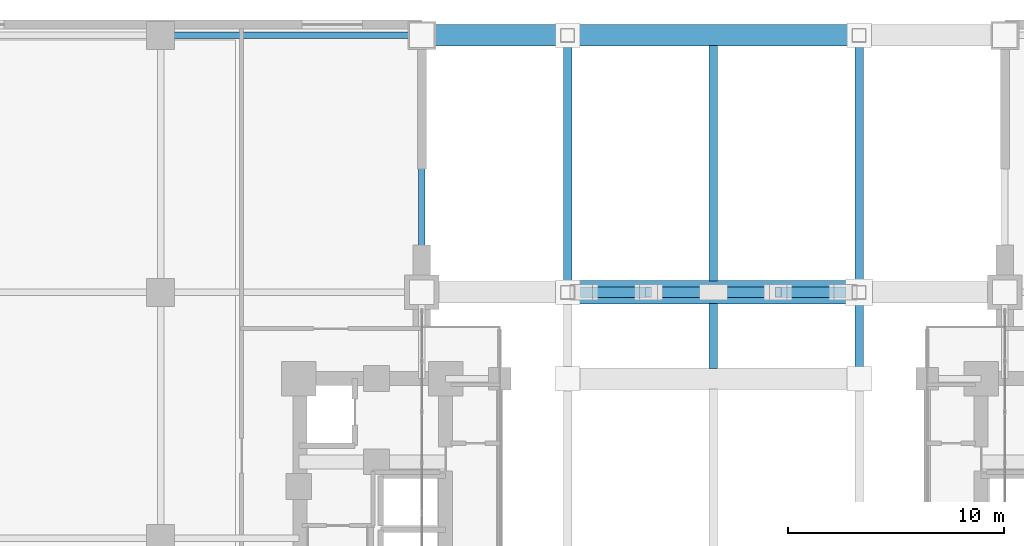
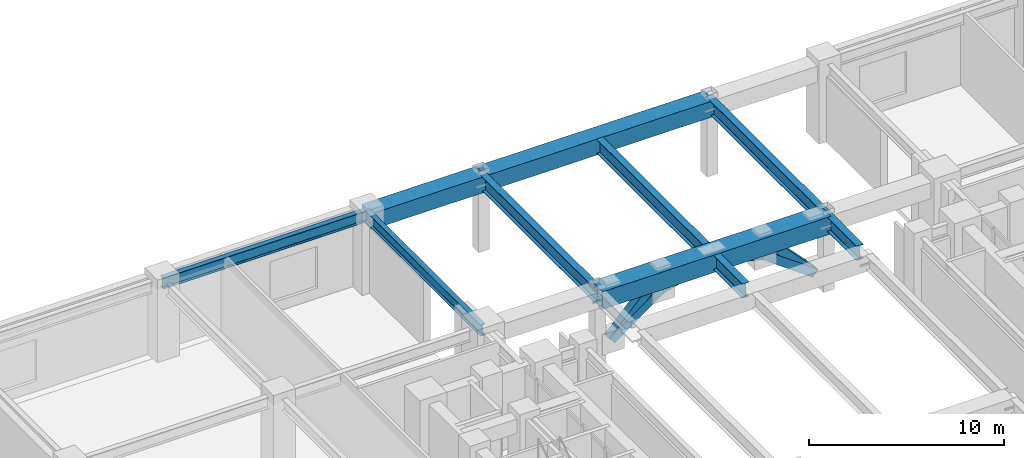
# One storey, part 11 of 26: 10 beams, 6 members.
"""IFC4 building model written with IfcOpenShell, lengths in metres."""

from ifc_helpers import new_model, si_unit, direction, frame, origin, origin_2d, place, context, subcontext, project, spatial, hollow_rectangle, i_section, extrude, material, material_profile, profile_set, type_object, element, save


model = new_model("IFC4")

# Units and contexts
model_context = context("Model", 3, precision=1e-05, world=origin(), true_north=direction((0.0, 1.0)))
body_context = subcontext(model_context, "Body", "Model", "MODEL_VIEW")
ifc_project = project(units=[si_unit("LENGTHUNIT", "METRE"), si_unit("AREAUNIT", "SQUARE_METRE"), si_unit("VOLUMEUNIT", "CUBIC_METRE"), si_unit("PLANEANGLEUNIT", "RADIAN"), si_unit("MASSUNIT", "GRAM", prefix="KILO")], contexts=[model_context])

# Site, building, storey
site_placement = place(None, origin())
site = spatial("IfcSite", under=ifc_project, at=site_placement, CompositionType="ELEMENT")
building_placement = place(site_placement, origin())
building = spatial("IfcBuilding", under=site, at=building_placement, Name="Voryun Gate Residences", CompositionType="ELEMENT")
storey_placement = place(building_placement, frame((0.0, 0.0, 15.60009765625)))
storey = spatial("IfcBuildingStorey", under=building, at=storey_placement, Name="L03", CompositionType="ELEMENT", Elevation=15.60009765625)

# Beams
ifc_material_1 = material(Name="Steel SM420", Category="steel")
ifc_material_profile_1 = material_profile(ifc_material_1, hollow_rectangle(XDim=1.10009765625, YDim=1.10009765625, WallThickness=0.035888671875, at=origin_2d()), Name="BOX-1100x1100x36")
ifc_profile_set_1 = profile_set([ifc_material_profile_1], Name="Steel SM420")
beam_type_1 = type_object("IfcBeamType", Name="BM_ARCH_RIB", PredefinedType="USERDEFINED", material=ifc_profile_set_1)
beam_1_placement = place(storey_placement, frame((-6.75, 11.39990234375, 4.25), z_axis=(1.0, 0.0, 0.0), x_axis=(0.0, 1.0, 0.0)))
element("IfcBeam", 1, at=beam_1_placement, inside=storey, type_object=beam_type_1, Name="Parabolic Tied-Arch Tie Girder N Bay 2", ObjectType="GIRDER", PredefinedType="USERDEFINED", context=body_context, shape_type="SweptSolid", body=[
    extrude(hollow_rectangle(XDim=1.10009765625, YDim=1.10009765625, WallThickness=0.035888671875, at=origin_2d()), origin(), (0.0, 0.0, 1.0), 13.5),
])
ifc_material_2 = material(Name="Steel SM420", Category="steel")
ifc_material_profile_2 = material_profile(ifc_material_2, hollow_rectangle(XDim=1.0, YDim=1.0, WallThickness=0.031982421875, at=origin_2d()), Name="BOX-1000x1000x32")
ifc_profile_set_2 = profile_set([ifc_material_profile_2], Name="Steel SM420")
beam_type_2 = type_object("IfcBeamType", Name="BM_ARCH_TIE", PredefinedType="USERDEFINED", material=ifc_profile_set_2)
beam_2_placement = place(storey_placement, frame((-13.5, 23.300048828125, 4.2998046875), z_axis=(1.0, 0.0, 0.0), x_axis=(0.0, 1.0, 0.0)))
element("IfcBeam", 2, at=beam_2_placement, inside=storey, type_object=beam_type_2, Name="BM-L03-ARCH-EDGE-+23.3-0", ObjectType="GIRDER", PredefinedType="USERDEFINED", context=body_context, shape_type="SweptSolid", body=[
    extrude(hollow_rectangle(XDim=1.0, YDim=1.0, WallThickness=0.031982421875, at=origin_2d()), origin(), (0.0, 0.0, 1.0), 6.75),
])
beam_3_placement = place(storey_placement, frame((-6.75, 23.300048828125, 4.2998046875), z_axis=(1.0, 0.0, 0.0), x_axis=(0.0, 1.0, 0.0)))
element("IfcBeam", 3, at=beam_3_placement, inside=storey, type_object=beam_type_2, Name="BM-L03-ARCH-EDGE-+23.3-1", ObjectType="GIRDER", PredefinedType="USERDEFINED", context=body_context, shape_type="SweptSolid", body=[
    extrude(hollow_rectangle(XDim=1.0, YDim=1.0, WallThickness=0.031982421875, at=origin_2d()), origin(), (0.0, 0.0, 1.0), 13.5),
])
ifc_material_3 = material(Name="Steel SM355", Category="steel")
ifc_material_profile_3 = material_profile(ifc_material_3, i_section(OverallWidth=0.300048828125, OverallDepth=0.699951171875, WebThickness=0.012939453125, FlangeThickness=0.02392578125, FilletRadius=0.01806640625, at=origin_2d()), Name="H-700x300x13x24")
ifc_profile_set_3 = profile_set([ifc_material_profile_3], Name="Steel SM355")
beam_type_3 = type_object("IfcBeamType", Name="BM_GIRD_700", PredefinedType="USERDEFINED", material=ifc_profile_set_3)
beam_4_placement = place(storey_placement, frame((-25.60009765625, 23.300048828125, 4.449951171875), z_axis=(1.0, 0.0, 0.0), x_axis=(0.0, 1.0, 0.0)))
element("IfcBeam", 4, at=beam_4_placement, inside=storey, type_object=beam_type_3, Name="BM-L03-PWX-+23.3-1", ObjectType="GIRDER", PredefinedType="USERDEFINED", context=body_context, shape_type="SweptSolid", body=[
    extrude(i_section(OverallWidth=0.300048828125, OverallDepth=0.699951171875, WebThickness=0.012939453125, FlangeThickness=0.02392578125, FilletRadius=0.01806640625, at=origin_2d()), origin(), (0.0, 0.0, 1.0), 12.10009765625),
])
beam_5_placement = place(storey_placement, frame((-13.5, 11.39990234375, 4.449951171875), z_axis=(0.0, 1.0, 0.0), x_axis=(-1.0, 0.0, 0.0)))
element("IfcBeam", 5, at=beam_5_placement, inside=storey, type_object=beam_type_3, Name="BM-L03-PWYA-+11.4", ObjectType="GIRDER", PredefinedType="USERDEFINED", context=body_context, shape_type="SweptSolid", body=[
    extrude(i_section(OverallWidth=0.300048828125, OverallDepth=0.699951171875, WebThickness=0.012939453125, FlangeThickness=0.02392578125, FilletRadius=0.01806640625, at=origin_2d()), origin(), (0.0, 0.0, 1.0), 11.900146484375),
])
ifc_material_4 = material(Name="Steel SM420", Category="steel")
ifc_material_profile_4 = material_profile(ifc_material_4, i_section(OverallWidth=0.39990234375, OverallDepth=0.89990234375, WebThickness=0.01806640625, FlangeThickness=0.031982421875, FilletRadius=0.01806640625, at=origin_2d()), Name="H-900x400x18x32")
ifc_profile_set_4 = profile_set([ifc_material_profile_4], Name="Steel SM420")
beam_type_4 = type_object("IfcBeamType", Name="BM_POD_TRUSS_CHD", PredefinedType="USERDEFINED", material=ifc_profile_set_4)
beam_6_placement = place(storey_placement, frame((-6.75, 11.39990234375, 4.349853515625), z_axis=(0.0, 1.0, 0.0), x_axis=(-1.0, 0.0, 0.0)))
element("IfcBeam", 6, at=beam_6_placement, inside=storey, type_object=beam_type_4, Name="BM-L03-ARCH-XDECK-N--6.75", ObjectType="GIRDER", PredefinedType="USERDEFINED", context=body_context, shape_type="SweptSolid", body=[
    extrude(i_section(OverallWidth=0.39990234375, OverallDepth=0.89990234375, WebThickness=0.01806640625, FlangeThickness=0.031982421875, FilletRadius=0.01806640625, at=origin_2d()), origin(), (0.0, 0.0, 1.0), 11.900146484375),
])
beam_7_placement = place(storey_placement, frame((0.0, 7.875, 4.349853515625), z_axis=(0.0, 1.0, 0.0), x_axis=(-1.0, 0.0, 0.0)))
element("IfcBeam", 7, at=beam_7_placement, inside=storey, type_object=beam_type_4, Name="BM-L03-ARCH-XDECK-NS-+0.00", ObjectType="GIRDER", PredefinedType="USERDEFINED", context=body_context, shape_type="SweptSolid", body=[
    extrude(i_section(OverallWidth=0.39990234375, OverallDepth=0.89990234375, WebThickness=0.01806640625, FlangeThickness=0.031982421875, FilletRadius=0.01806640625, at=origin_2d()), origin(), (0.0, 0.0, 1.0), 3.0),
])
beam_8_placement = place(storey_placement, frame((0.0, 11.925048828125, 4.349853515625), z_axis=(0.0, 1.0, 0.0), x_axis=(-1.0, 0.0, 0.0)))
element("IfcBeam", 8, at=beam_8_placement, inside=storey, type_object=beam_type_4, Name="BM-L03-ARCH-XDECK-N-+0.00", ObjectType="GIRDER", PredefinedType="USERDEFINED", context=body_context, shape_type="SweptSolid", body=[
    extrude(i_section(OverallWidth=0.39990234375, OverallDepth=0.89990234375, WebThickness=0.01806640625, FlangeThickness=0.031982421875, FilletRadius=0.01806640625, at=origin_2d()), origin(), (0.0, 0.0, 1.0), 10.89990234375),
])
beam_9_placement = place(storey_placement, frame((6.75, 7.875, 4.349853515625), z_axis=(0.0, 1.0, 0.0), x_axis=(-1.0, 0.0, 0.0)))
element("IfcBeam", 9, at=beam_9_placement, inside=storey, type_object=beam_type_4, Name="BM-L03-ARCH-XDECK-NS-+6.75", ObjectType="GIRDER", PredefinedType="USERDEFINED", context=body_context, shape_type="SweptSolid", body=[
    extrude(i_section(OverallWidth=0.39990234375, OverallDepth=0.89990234375, WebThickness=0.01806640625, FlangeThickness=0.031982421875, FilletRadius=0.01806640625, at=origin_2d()), origin(), (0.0, 0.0, 1.0), 3.52490234375),
])
beam_10_placement = place(storey_placement, frame((6.75, 11.39990234375, 4.349853515625), z_axis=(0.0, 1.0, 0.0), x_axis=(-1.0, 0.0, 0.0)))
element("IfcBeam", 10, at=beam_10_placement, inside=storey, type_object=beam_type_4, Name="BM-L03-ARCH-XDECK-N-+6.75", ObjectType="GIRDER", PredefinedType="USERDEFINED", context=body_context, shape_type="SweptSolid", body=[
    extrude(i_section(OverallWidth=0.39990234375, OverallDepth=0.89990234375, WebThickness=0.01806640625, FlangeThickness=0.031982421875, FilletRadius=0.01806640625, at=origin_2d()), origin(), (0.0, 0.0, 1.0), 11.900146484375),
])

# Members
ifc_material_5 = material(Name="Steel SM420", Category="steel")
ifc_material_profile_5 = material_profile(ifc_material_5, hollow_rectangle(XDim=0.5, YDim=0.5, WallThickness=0.02392578125, at=origin_2d()), Name="BOX-500x500x24")
ifc_profile_set_5 = profile_set([ifc_material_profile_5], Name="Steel SM420")
member_type = type_object("IfcMemberType", Name="MBR_ARCH_WEB", PredefinedType="BRACE", material=ifc_profile_set_5)
member_1_placement = place(storey_placement, frame((-6.0, 11.39990234375, 1.31591796875), z_axis=(0.811138509032, 0.0, 0.584854100751), x_axis=(0.0, 1.0, 0.0)))
element("IfcMember", 11, at=member_1_placement, inside=storey, type_object=member_type, Name="Parabolic Tied-Arch Rib Member N Segment 3", PredefinedType="BRACE", context=body_context, shape_type="SweptSolid", body=[
    extrude(hollow_rectangle(XDim=0.5, YDim=0.5, WallThickness=0.02392578125, at=origin_2d()), origin(), (0.0, 0.0, 1.0), 3.698486328125),
])
member_2_placement = place(storey_placement, frame((-6.0, 11.39990234375, 1.31591796875), z_axis=(0.69149091209, 0.0, 0.722385159383), x_axis=(0.0, 1.0, 0.0)))
element("IfcMember", 12, at=member_2_placement, inside=storey, type_object=member_type, Name="Parabolic Tied-Arch Web Brace N-3", PredefinedType="BRACE", context=body_context, shape_type="SweptSolid", body=[
    extrude(hollow_rectangle(XDim=0.5, YDim=0.5, WallThickness=0.02392578125, at=origin_2d()), origin(), (0.0, 0.0, 1.0), 4.33837890625),
])
for number, where, z_axis, x_axis, name in (
    (13, (-3.0, 11.39990234375, 3.47900390625), (0.972317588223, 0.0, 0.233663235516), (0.0, 1.0, 0.0), "Parabolic Tied-Arch Rib Member N Segment 4"),
    (14, (0.0, 11.39990234375, 4.199951171875), (0.972317588223, 0.0, -0.233663235516), (0.0, 1.0, 0.0), "Parabolic Tied-Arch Rib Member N Segment 5"),
):
    element("IfcMember", number, at=place(storey_placement, frame(where, z_axis=z_axis, x_axis=x_axis)), inside=storey, type_object=member_type, Name=name, PredefinedType="BRACE", context=body_context, shape_type="SweptSolid", body=[
        extrude(hollow_rectangle(XDim=0.5, YDim=0.5, WallThickness=0.02392578125, at=origin_2d()), origin(), (0.0, 0.0, 1.0), 3.08544921875),
    ])
member_3_placement = place(storey_placement, frame((3.0, 11.39990234375, 3.47900390625), z_axis=(0.811138509032, 0.0, -0.584854100751), x_axis=(0.0, 1.0, 0.0)))
element("IfcMember", 15, at=member_3_placement, inside=storey, type_object=member_type, Name="Parabolic Tied-Arch Rib Member N Segment 6", PredefinedType="BRACE", context=body_context, shape_type="SweptSolid", body=[
    extrude(hollow_rectangle(XDim=0.5, YDim=0.5, WallThickness=0.02392578125, at=origin_2d()), origin(), (0.0, 0.0, 1.0), 3.698486328125),
])
member_4_placement = place(storey_placement, frame((6.0, 11.39990234375, 1.31591796875), z_axis=(-0.69149091209, 0.0, 0.722385159383), x_axis=(0.0, -1.0, 0.0)))
element("IfcMember", 16, at=member_4_placement, inside=storey, type_object=member_type, Name="Parabolic Tied-Arch Web Brace N-6", PredefinedType="BRACE", context=body_context, shape_type="SweptSolid", body=[
    extrude(hollow_rectangle(XDim=0.5, YDim=0.5, WallThickness=0.02392578125, at=origin_2d()), origin(), (0.0, 0.0, 1.0), 4.33837890625),
])

save(model, "model.ifc")
